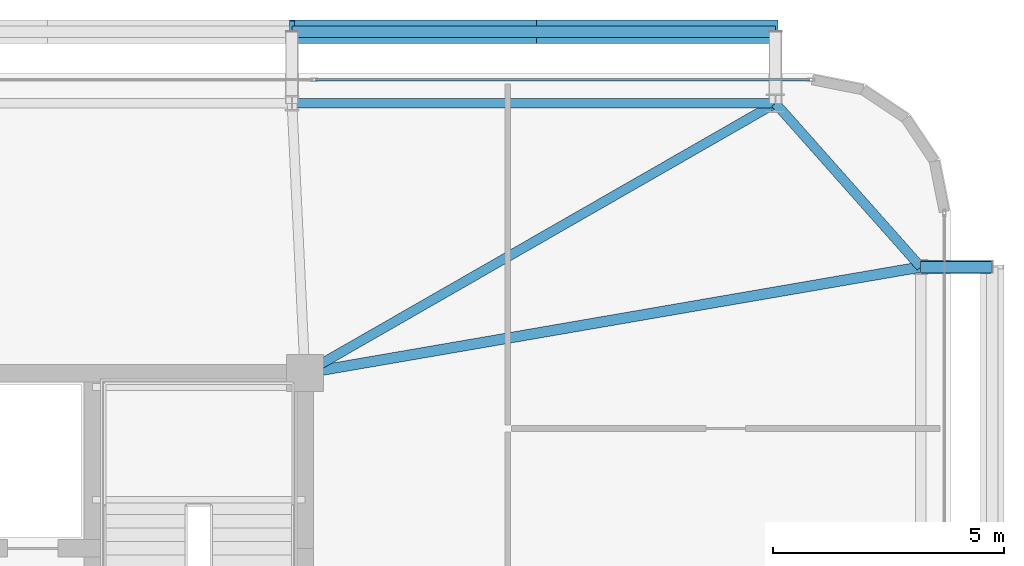
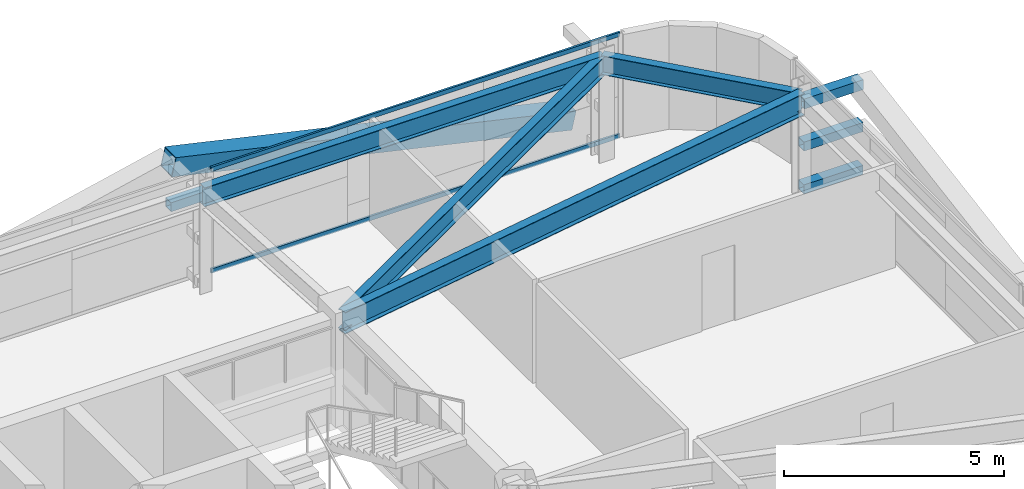
# One storey, part 27 of 45: 8 members, 4 beams, 1 element without a shape of its own.
"""IFC4 building model written with IfcOpenShell, lengths in metres."""

import ifcopenshell
import ifcopenshell.guid

model = None  # the IFC model being written
_history = None  # IfcOwnerHistory: only IFC2X3 demands one
_inside = {}  # id of a spatial element -> (the spatial element, [elements in it])
_under = {}  # id of a project, library or spatial element -> (it, [spatial elements below it])
_declared = {}  # id of a project -> (the project, [libraries it declares])
_typed = {}  # id of a type object -> (the type object, [elements of that type])
_made_of = {}  # id of a material, layer set ... -> (it, [elements and type objects made of it])


def new_model(schema):
    """Start an empty IFC model of exactly this schema.

    Asked for "IFC4X3", IfcOpenShell would pick the latest addendum, in which some entities
    have other attributes; the version numbers below select the first issue.
    IFC2X3 requires an IfcOwnerHistory on every rooted entity: one is made here for all.
    """
    global model, _history
    if schema == "IFC4X3":
        model = ifcopenshell.file(schema_version=(4, 3, 0, 0))
    else:
        model = ifcopenshell.file(schema=schema)
    _inside.clear()
    _under.clear()
    _declared.clear()
    _typed.clear()
    _made_of.clear()
    _history = None
    if model.schema == "IFC2X3":
        org = make("IfcOrganization", Name="unknown")
        user = make(
            "IfcPersonAndOrganization",
            ThePerson=make("IfcPerson", FamilyName="unknown"),
            TheOrganization=org,
        )
        app = make(
            "IfcApplication",
            ApplicationDeveloper=org,
            Version="unknown",
            ApplicationFullName="unknown",
            ApplicationIdentifier="unknown",
        )
        _history = make(
            "IfcOwnerHistory",
            OwningUser=user,
            OwningApplication=app,
            ChangeAction="ADDED",
            CreationDate=0,
        )
    return model


def make(cls, **values):
    """One entity of the class cls with the attributes given. An attribute that is None is left unset."""
    return model.create_entity(
        cls, **{name: value for name, value in values.items() if value is not None}
    )


def rooted(cls, **values):
    """An entity with a GlobalId (a new one), such as an element, a storey or a relation."""
    return make(cls, GlobalId=ifcopenshell.guid.new(), OwnerHistory=_history, **values)


def si_unit(unit_type, name, prefix=None):
    """IfcSIUnit, for example si_unit("LENGTHUNIT", "METRE", prefix="MILLI")."""
    return make("IfcSIUnit", UnitType=unit_type, Prefix=prefix, Name=name)


def assignment(units):
    """IfcUnitAssignment: the units of a project."""
    return None if units is None else make("IfcUnitAssignment", Units=units)


def point(xyz):
    """IfcCartesianPoint."""
    return None if xyz is None else make("IfcCartesianPoint", Coordinates=xyz)


def direction(xyz):
    """IfcDirection."""
    return None if xyz is None else make("IfcDirection", DirectionRatios=xyz)


def frame(location, z_axis=None, x_axis=None):
    """IfcAxis2Placement3D, a coordinate frame: its origin and axes. An axis left out is left unset."""
    return make(
        "IfcAxis2Placement3D",
        Location=point(location),
        Axis=direction(z_axis),
        RefDirection=direction(x_axis),
    )


def frame_2d(location, x_axis=None):
    """IfcAxis2Placement2D, a coordinate frame in the plane: its origin and x axis."""
    return make(
        "IfcAxis2Placement2D", Location=point(location), RefDirection=direction(x_axis)
    )


def origin():
    """The frame at (0, 0, 0) with its axes left unset."""
    return frame((0.0, 0.0, 0.0))


def origin_2d():
    """The frame at (0, 0) in the plane with its x axis left unset."""
    return frame_2d((0.0, 0.0))


def place(relative_to, where):
    """IfcLocalPlacement: puts the frame where relative to a parent placement (None: the world)."""
    return make(
        "IfcLocalPlacement", PlacementRelTo=relative_to, RelativePlacement=where
    )


def context(
    kind, dimensions, precision=None, world=None, true_north=None, identifier=None
):
    """IfcGeometricRepresentationContext, for example the 3D "Model" context."""
    return make(
        "IfcGeometricRepresentationContext",
        ContextIdentifier=identifier,
        ContextType=kind,
        CoordinateSpaceDimension=dimensions,
        Precision=precision,
        WorldCoordinateSystem=world,
        TrueNorth=true_north,
    )


def subcontext(parent, identifier, kind, view, scale=None):
    """IfcGeometricRepresentationSubContext, for example "Body" below "Model"."""
    return make(
        "IfcGeometricRepresentationSubContext",
        ContextIdentifier=identifier,
        ContextType=kind,
        ParentContext=parent,
        TargetScale=scale,
        TargetView=view,
    )


def project(units=None, contexts=None):
    """IfcProject with its units and contexts."""
    return rooted(
        "IfcProject",
        Name="project",
        RepresentationContexts=contexts,
        UnitsInContext=assignment(units),
    )


def spatial(cls, under=None, at=None, **own):
    """A site, building, storey or space (cls), placed at a placement, below another one or the project."""
    s = rooted(cls, ObjectPlacement=at, **own)
    if under is not None:
        _under.setdefault(under.id(), (under, []))[1].append(s)
    return s


def profile(cls, at=None, kind="AREA", **sizes):
    """A parametric profile (cls). Its sizes go by their IFC names, for example OverallWidth=200.0."""
    return make(cls, ProfileType=kind, Position=at, **sizes)


def hollow_rectangle(**sizes):
    """IfcRectangleHollowProfileDef."""
    return profile("IfcRectangleHollowProfileDef", **sizes)


def i_section(**sizes):
    """IfcIShapeProfileDef."""
    return profile("IfcIShapeProfileDef", **sizes)


def extrude(swept, where, along, depth):
    """IfcExtrudedAreaSolid: the profile swept, set in the frame where, extruded along a direction by depth."""
    return make(
        "IfcExtrudedAreaSolid",
        SweptArea=swept,
        Position=where,
        ExtrudedDirection=direction(along),
        Depth=depth,
    )


def shape(context_of_items, identifier, shape_type, items):
    """IfcShapeRepresentation: the items that make up one representation, for example the "Body"."""
    return make(
        "IfcShapeRepresentation",
        ContextOfItems=context_of_items,
        RepresentationIdentifier=identifier,
        RepresentationType=shape_type,
        Items=items,
    )


def source(mapping_origin, context_of_items, identifier, shape_type, items):
    """IfcRepresentationMap: a shape defined once, which mapped items show again and again."""
    return make(
        "IfcRepresentationMap",
        MappingOrigin=mapping_origin,
        MappedRepresentation=shape(context_of_items, identifier, shape_type, items),
    )


def transform(
    local_origin,
    x_axis=None,
    y_axis=None,
    z_axis=None,
    scale=None,
    scale2=None,
    scale3=None,
    uniform=True,
):
    """IfcCartesianTransformationOperator3D, or its non-uniform kind. x_axis, y_axis, z_axis: its Axis1, 2, 3."""
    if uniform:
        return make(
            "IfcCartesianTransformationOperator3D",
            Axis1=direction(x_axis),
            Axis2=direction(y_axis),
            LocalOrigin=point(local_origin),
            Scale=scale,
            Axis3=direction(z_axis),
        )
    return make(
        "IfcCartesianTransformationOperator3DnonUniform",
        Axis1=direction(x_axis),
        Axis2=direction(y_axis),
        LocalOrigin=point(local_origin),
        Scale=scale,
        Axis3=direction(z_axis),
        Scale2=scale2,
        Scale3=scale3,
    )


def mapped(mapping_source, mapping_target):
    """IfcMappedItem: shows the shape of a source again, moved by a transform."""
    return make(
        "IfcMappedItem", MappingSource=mapping_source, MappingTarget=mapping_target
    )


def material(Name=None, Category=None):
    """IfcMaterial."""
    return make("IfcMaterial", Name=Name, Category=Category)


def layer(
    of_material, thickness, ventilated=None, Name=None, Category=None, Priority=None
):
    """IfcMaterialLayer: one layer of a wall or slab, of a material (None: an air gap)."""
    return make(
        "IfcMaterialLayer",
        Material=of_material,
        LayerThickness=thickness,
        IsVentilated=ventilated,
        Name=Name,
        Category=Category,
        Priority=Priority,
    )


def layer_set(layers, Name=None):
    """IfcMaterialLayerSet."""
    return make("IfcMaterialLayerSet", MaterialLayers=layers, LayerSetName=Name)


def material_profile(
    of_material, cross_section, Name=None, Category=None, Priority=None
):
    """IfcMaterialProfile: a cross section and its material."""
    return make(
        "IfcMaterialProfile",
        Name=Name,
        Material=of_material,
        Profile=cross_section,
        Priority=Priority,
        Category=Category,
    )


def profile_set(profiles, Name=None, composite=None):
    """IfcMaterialProfileSet."""
    return make(
        "IfcMaterialProfileSet",
        Name=Name,
        MaterialProfiles=profiles,
        CompositeProfile=composite,
    )


def made_of(thing, what):
    """Note that an element or type object is made of a material, layer set ...; save() writes the relation."""
    if what is not None:
        _made_of.setdefault(what.id(), (what, []))[1].append(thing)
    return thing


def type_object(cls, material=None, **own):
    """A type object (cls), such as IfcWallType, which elements share."""
    return made_of(rooted(cls, **own), material)


def element(
    cls,
    number,
    at=None,
    inside=None,
    cuts=None,
    type_object=None,
    material=None,
    context=None,
    identifier="Body",
    shape_type=None,
    held_by="IfcProductDefinitionShape",
    body=None,
    shapes=None,
    **own,
):
    """One element of the class cls, such as IfcWall. Its Tag is "e" and its number.

    at: its placement. inside: the storey or other place that contains it. cuts: it is an
    opening in that element (IfcRelVoidsElement). A single representation is given by context,
    identifier, shape_type and body (its items); several are given by shapes. held_by: the class
    of the entity that holds the representations. save() writes the other relations.
    """
    e = rooted(cls, Tag="e%d" % number, ObjectPlacement=at, **own)
    if body is not None:
        shapes = [shape(context, identifier, shape_type, body)]
    if shapes is not None:
        e.Representation = make(held_by, Representations=shapes)
    if inside is not None:
        _inside.setdefault(inside.id(), (inside, []))[1].append(e)
    if cuts is not None:
        rooted(
            "IfcRelVoidsElement", RelatingBuildingElement=cuts, RelatedOpeningElement=e
        )
    if type_object is not None:
        _typed.setdefault(type_object.id(), (type_object, []))[1].append(e)
    return made_of(e, material)


def aggregate(whole, parts):
    """IfcRelAggregates: a whole, such as a stair, and the parts it consists of."""
    return rooted("IfcRelAggregates", RelatingObject=whole, RelatedObjects=parts)


def save(model, path):
    """Write the relations noted so far, then the file.

    IfcRelAggregates (storeys below a building ...), IfcRelContainedInSpatialStructure (elements
    in a storey), IfcRelDefinesByType, IfcRelAssociatesMaterial and IfcRelDeclares: one each for
    every whole, place, type object, material and project.
    """
    for whole, parts in _under.values():
        aggregate(whole, parts)
    for where, things in _inside.values():
        rooted(
            "IfcRelContainedInSpatialStructure",
            RelatedElements=things,
            RelatingStructure=where,
        )
    for kind, things in _typed.values():
        rooted("IfcRelDefinesByType", RelatedObjects=things, RelatingType=kind)
    for what, things in _made_of.values():
        rooted("IfcRelAssociatesMaterial", RelatedObjects=things, RelatingMaterial=what)
    for by, libraries in _declared.values():
        rooted("IfcRelDeclares", RelatingContext=by, RelatedDefinitions=libraries)
    model.write(path)


model = new_model("IFC4")

# Units and contexts
model_context = context("Model", 3, precision=1e-05, world=origin(), true_north=direction((0.0, 1.0)))
body_context = subcontext(model_context, "Body", "Model", "MODEL_VIEW")
ifc_project = project(units=[si_unit("LENGTHUNIT", "METRE"), si_unit("AREAUNIT", "SQUARE_METRE"), si_unit("VOLUMEUNIT", "CUBIC_METRE"), si_unit("PLANEANGLEUNIT", "RADIAN"), si_unit("MASSUNIT", "GRAM", prefix="KILO")], contexts=[model_context])

# Site, building, storey
site_placement = place(None, origin())
site = spatial("IfcSite", under=ifc_project, at=site_placement, CompositionType="ELEMENT")
building_placement = place(site_placement, origin())
building = spatial("IfcBuilding", under=site, at=building_placement, Name="Taldren Reach Tower", CompositionType="ELEMENT")
storey_placement = place(building_placement, frame((0.0, 0.0, 57.75)))
storey = spatial("IfcBuildingStorey", under=building, at=storey_placement, Name="L17", CompositionType="ELEMENT", Elevation=57.75)

# Beams
ifc_material_1 = material(Name="Steel Gr 350 (350PLUS)", Category="steel")
ifc_material_profile_1 = material_profile(ifc_material_1, i_section(OverallWidth=0.208984375, OverallDepth=0.528076171875, WebThickness=0.009521484375, FlangeThickness=0.01318359375, at=origin_2d()), Name="530UB82.0")
ifc_profile_set_1 = profile_set([ifc_material_profile_1], Name="Steel Gr 350 (350PLUS)")
beam_type_1 = type_object("IfcBeamType", Name="SP-UB530B", PredefinedType="SPANDREL", material=ifc_profile_set_1)
shared_shape_1 = source(origin(), body_context, "Body", "SweptSolid", [
    extrude(i_section(OverallWidth=0.208984375, OverallDepth=0.528076171875, WebThickness=0.009521484375, FlangeThickness=0.01318359375, at=origin_2d()), origin(), (0.0, 0.0, 1.0), 10.47998046875),
])
beam_1_placement = place(storey_placement, frame((61.199951171875, 37.85009765625, 2.60595703125), z_axis=(-1.0, 0.0, 0.0), x_axis=(0.0, -1.0, 0.0)))
element("IfcBeam", 1, at=beam_1_placement, inside=storey, type_object=beam_type_1, Name="Perimeter spandrel B1 N6-N5 L17", PredefinedType="SPANDREL", context=body_context, shape_type="MappedRepresentation", body=[
    mapped(shared_shape_1, transform((0.0, 0.0, 0.0), scale=1.0)),
])
shared_shape_2 = source(origin(), body_context, "Body", "SweptSolid", [
    extrude(i_section(OverallWidth=0.208984375, OverallDepth=0.528076171875, WebThickness=0.009521484375, FlangeThickness=0.01318359375, at=origin_2d()), origin(), (0.0, 0.0, 1.0), 4.74609375),
])
beam_2_placement = place(storey_placement, frame((64.35009765625, 34.300048828125, 2.60595703125), z_axis=(-0.663721843779, 0.747979487747, 0.0), x_axis=(-0.747979487747, -0.663721843779, 0.0)))
element("IfcBeam", 2, at=beam_2_placement, inside=storey, type_object=beam_type_1, Name="Perimeter spandrel B1 E3-N6 L17", PredefinedType="SPANDREL", context=body_context, shape_type="MappedRepresentation", body=[
    mapped(shared_shape_2, transform((0.0, 0.0, 0.0), scale=1.0)),
])
ifc_material_profile_2 = material_profile(ifc_material_1, i_section(OverallWidth=0.22802734375, OverallDepth=0.60205078125, WebThickness=0.010498046875, FlangeThickness=0.014892578125, at=origin_2d()), Name="610UB101")
ifc_profile_set_2 = profile_set([ifc_material_profile_2], Name="Steel Gr 350 (350PLUS)")
beam_type_2 = type_object("IfcBeamType", Name="BM-UB610B", PredefinedType="BEAM", material=ifc_profile_set_2)
shared_shape_3 = source(origin(), body_context, "Body", "SweptSolid", [
    extrude(i_section(OverallWidth=0.22802734375, OverallDepth=0.60205078125, WebThickness=0.010498046875, FlangeThickness=0.014892578125, at=origin_2d()), origin(), (0.0, 0.0, 1.0), 13.546875),
])
beam_3_placement = place(storey_placement, frame((51.0, 32.0, 2.569091796875), z_axis=(0.985481022998, 0.169785609847, 0.0), x_axis=(-0.169785609847, 0.985481022998, 0.0)))
element("IfcBeam", 3, at=beam_3_placement, inside=storey, type_object=beam_type_2, Name="Primary floor girder B1-E3 L17", PredefinedType="BEAM", context=body_context, shape_type="MappedRepresentation", body=[
    mapped(shared_shape_3, transform((0.0, 0.0, 0.0), scale=1.0)),
])
ifc_material_profile_3 = material_profile(ifc_material_1, i_section(OverallWidth=0.208984375, OverallDepth=0.532958984375, WebThickness=0.01025390625, FlangeThickness=0.015625, at=origin_2d()), Name="530UB92.4")
ifc_profile_set_3 = profile_set([ifc_material_profile_3], Name="Steel Gr 350 (350PLUS)")
beam_type_3 = type_object("IfcBeamType", Name="BM-UB530A", PredefinedType="BEAM", material=ifc_profile_set_3)
shared_shape_4 = source(origin(), body_context, "Body", "SweptSolid", [
    extrude(i_section(OverallWidth=0.208984375, OverallDepth=0.532958984375, WebThickness=0.01025390625, FlangeThickness=0.015625, at=origin_2d()), origin(), (0.0, 0.0, 1.0), 11.758544921875),
])
beam_4_placement = place(storey_placement, frame((51.0, 32.0, 2.603515625), z_axis=(0.867452414141, 0.497520159593, 0.0), x_axis=(-0.497520159593, 0.867452414141, 0.0)))
element("IfcBeam", 4, at=beam_4_placement, inside=storey, type_object=beam_type_3, Name="Primary floor girder B1-N6 L17", PredefinedType="BEAM", context=body_context, shape_type="MappedRepresentation", body=[
    mapped(shared_shape_4, transform((0.0, 0.0, 0.0), scale=1.0)),
])

# Members
ifc_material_2 = material(Name="Steel Gr 450 (C450L0)", Category="steel")
ifc_material_profile_4 = material_profile(ifc_material_2, hollow_rectangle(XDim=0.27490234375, YDim=0.27490234375, WallThickness=0.00927734375, at=origin_2d()), Name="275x275x9.3SHS")
ifc_profile_set_4 = profile_set([ifc_material_profile_4], Name="Steel Gr 450 (C450L0)")
member_type_1 = type_object("IfcMemberType", Name="MB-TIE273", PredefinedType="STRUT", material=ifc_profile_set_4)
shared_shape_5 = source(origin(), body_context, "Body", "SweptSolid", [
    extrude(hollow_rectangle(XDim=0.27490234375, YDim=0.27490234375, WallThickness=0.00927734375, at=origin_2d()), origin(), (0.0, 0.0, 1.0), 1.5498046875),
])
member_1_placement = place(storey_placement, frame((64.35009765625, 34.300048828125, 2.590087890625), z_axis=(1.0, 0.0, 0.0), x_axis=(0.0, 1.0, 0.0)))
element("IfcMember", 5, at=member_1_placement, inside=storey, type_object=member_type_1, Name="Exoskeleton diaphragm tie strut B1-E3 L17", PredefinedType="STRUT", context=body_context, shape_type="MappedRepresentation", body=[
    mapped(shared_shape_5, transform((0.0, 0.0, 0.0), scale=1.0)),
])
ifc_material_3 = material(Name="Steel Gr 350 (C350L0)", Category="steel")
ifc_material_profile_5 = material_profile(ifc_material_3, hollow_rectangle(XDim=0.25, YDim=0.25, WallThickness=0.010009765625, at=origin_2d()), Name="250x250x10.0SHS")
ifc_profile_set_5 = profile_set([ifc_material_profile_5], Name="Steel Gr 350 (C350L0)")
member_type_2 = type_object("IfcMemberType", Name="MB-POST250", PredefinedType="POST", material=ifc_profile_set_5)
shared_shape_6 = source(origin(), body_context, "Body", "SweptSolid", [
    extrude(hollow_rectangle(XDim=0.25, YDim=0.25, WallThickness=0.010009765625, at=origin_2d()), origin(), (0.0, 0.0, 1.0), 10.47998046875),
])
member_2_placement = place(storey_placement, frame((50.719970703125, 39.39990234375, 1.405029296875), z_axis=(1.0, 0.0, 0.0), x_axis=(0.0, 1.0, 0.0)))
element("IfcMember", 6, at=member_2_placement, inside=storey, type_object=member_type_2, Name="Exoskeleton mid-height ring chord B1-N5 L17", PredefinedType="POST", context=body_context, shape_type="MappedRepresentation", body=[
    mapped(shared_shape_6, transform((0.0, 0.0, 0.0), scale=1.0)),
])
shared_shape_7 = source(origin(), body_context, "Body", "SweptSolid", [
    extrude(hollow_rectangle(XDim=0.25, YDim=0.25, WallThickness=0.010009765625, at=origin_2d()), origin(), (0.0, 0.0, 1.0), 1.5498046875),
])
for number, where, z_axis, x_axis, name in (
    (7, (64.35009765625, 34.300048828125, 0.219970703125), (1.0, 0.0, 0.0), (0.0, 1.0, 0.0), "Exoskeleton base diaphragm tie strut B1-E3 L17"),
    (8, (64.35009765625, 34.300048828125, 1.405029296875), (1.0, 0.0, 0.0), (0.0, 1.0, 0.0), "Exoskeleton mid-tier diaphragm tie B1-E3 L17"),
):
    element("IfcMember", number, at=place(storey_placement, frame(where, z_axis=z_axis, x_axis=x_axis)), inside=storey, type_object=member_type_2, Name=name, PredefinedType="POST", context=body_context, shape_type="MappedRepresentation", body=[
        mapped(shared_shape_7, transform((0.0, 0.0, 0.0), scale=1.0)),
    ])
ifc_material_profile_6 = material_profile(ifc_material_2, hollow_rectangle(XDim=0.510009765625, YDim=0.510009765625, WallThickness=0.02001953125, at=origin_2d()), Name="510x510x20.0SHS")
ifc_profile_set_6 = profile_set([ifc_material_profile_6], Name="Steel Gr 450 (C450L0)")
member_type_3 = type_object("IfcMemberType", Name="MB-EXO508", PredefinedType="BRACE", material=ifc_profile_set_6)
shared_shape_8 = source(origin(), body_context, "Body", "SweptSolid", [
    extrude(hollow_rectangle(XDim=0.510009765625, YDim=0.510009765625, WallThickness=0.02001953125, at=origin_2d()), origin(), (0.0, 0.0, 1.0), 5.372314453125),
])
for number, where, z_axis, x_axis, name in (
    (9, (61.199951171875, 39.39990234375, 0.219970703125), (-0.975367562392, 0.0, 0.220585852297), (0.0, -1.0, 0.0), "Exoskeleton Diagrid Brace B1-N5 L17"),
    (10, (55.9599609375, 39.39990234375, 1.405029296875), (-0.975367562392, 0.0, 0.220585852297), (0.0, -1.0, 0.0), "Exoskeleton Diagrid Brace B1-N5 L17"),
):
    element("IfcMember", number, at=place(storey_placement, frame(where, z_axis=z_axis, x_axis=x_axis)), inside=storey, type_object=member_type_3, Name=name, PredefinedType="BRACE", context=body_context, shape_type="MappedRepresentation", body=[
        mapped(shared_shape_8, transform((0.0, 0.0, 0.0), scale=1.0)),
    ])

# Curtain wall, members
ifc_material_4 = material(Name="Aluminium and Low-E Glass Unitised System", Category="aluminium")
ifc_layer = layer(ifc_material_4, 0.159912109375)
ifc_layer_set = layer_set([ifc_layer], Name="Aluminium and Low-E Glass Unitised System")
curtain_wall_type = type_object("IfcCurtainWallType", Name="CW-SYS-2", PredefinedType="NOTDEFINED", material=ifc_layer_set)
curtain_wall_placement = place(storey_placement, origin())
curtain_wall = element("IfcCurtainWall", 11, at=curtain_wall_placement, inside=storey, type_object=curtain_wall_type, Name="Unitised curtain wall CW-L17-N", PredefinedType="NOTDEFINED")
ifc_material_5 = material(Name="Anodised Aluminium 6063-T6", Category="aluminium")
ifc_material_profile_7 = material_profile(ifc_material_5, hollow_rectangle(XDim=0.054931640625, YDim=0.1201171875, WallThickness=0.0029296875, at=origin_2d()), Name="ALU-120x55x3RHS")
ifc_profile_set_7 = profile_set([ifc_material_profile_7], Name="Anodised Aluminium 6063-T6")
member_type_4 = type_object("IfcMemberType", Name="CW-TRN-135", PredefinedType="USERDEFINED", material=ifc_profile_set_7)
shared_shape_9 = source(origin(), body_context, "Body", "SweptSolid", [
    extrude(hollow_rectangle(XDim=0.054931640625, YDim=0.1201171875, WallThickness=0.0029296875, at=origin_2d()), origin(), (0.0, 0.0, 1.0), 10.70263671875),
])
member_3_placement = place(storey_placement, frame((61.93505859375, 38.360107421875, 0.027587890625), z_axis=(-1.0, 0.0, 0.0), x_axis=(0.0, -1.0, 0.0)))
member_3 = element("IfcMember", 12, at=member_3_placement, type_object=member_type_4, Name="CW-2 transom 1.1", ObjectType="TRANSOM", PredefinedType="USERDEFINED", context=body_context, shape_type="MappedRepresentation", body=[
    mapped(shared_shape_9, transform((0.0, 0.0, 0.0), scale=1.0)),
])
member_4_placement = place(storey_placement, frame((61.93505859375, 38.360107421875, 2.842529296875), z_axis=(-1.0, 0.0, 0.0), x_axis=(0.0, -1.0, 0.0)))
member_4 = element("IfcMember", 13, at=member_4_placement, type_object=member_type_4, Name="CW-2 transom 1.2", ObjectType="TRANSOM", PredefinedType="USERDEFINED", context=body_context, shape_type="MappedRepresentation", body=[
    mapped(shared_shape_9, transform((0.0, 0.0, 0.0), scale=1.0)),
])
aggregate(curtain_wall, [member_3, member_4])

save(model, "model.ifc")
